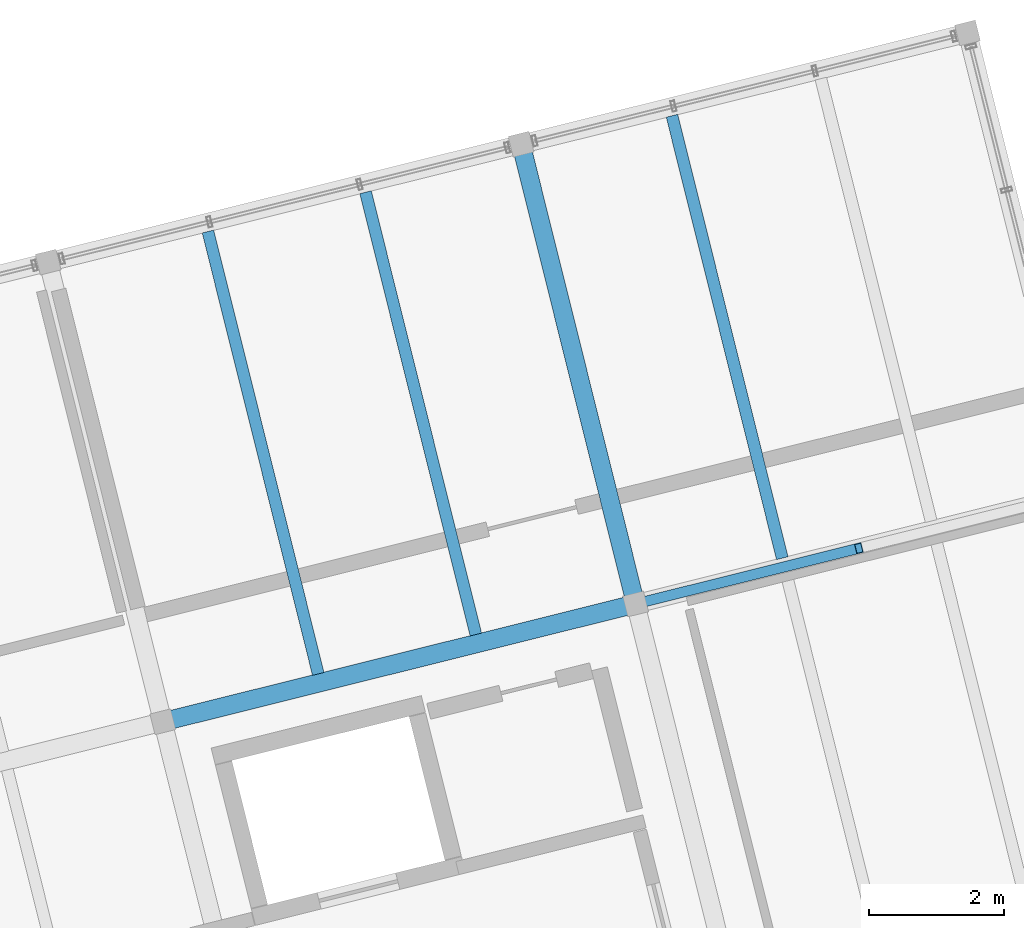
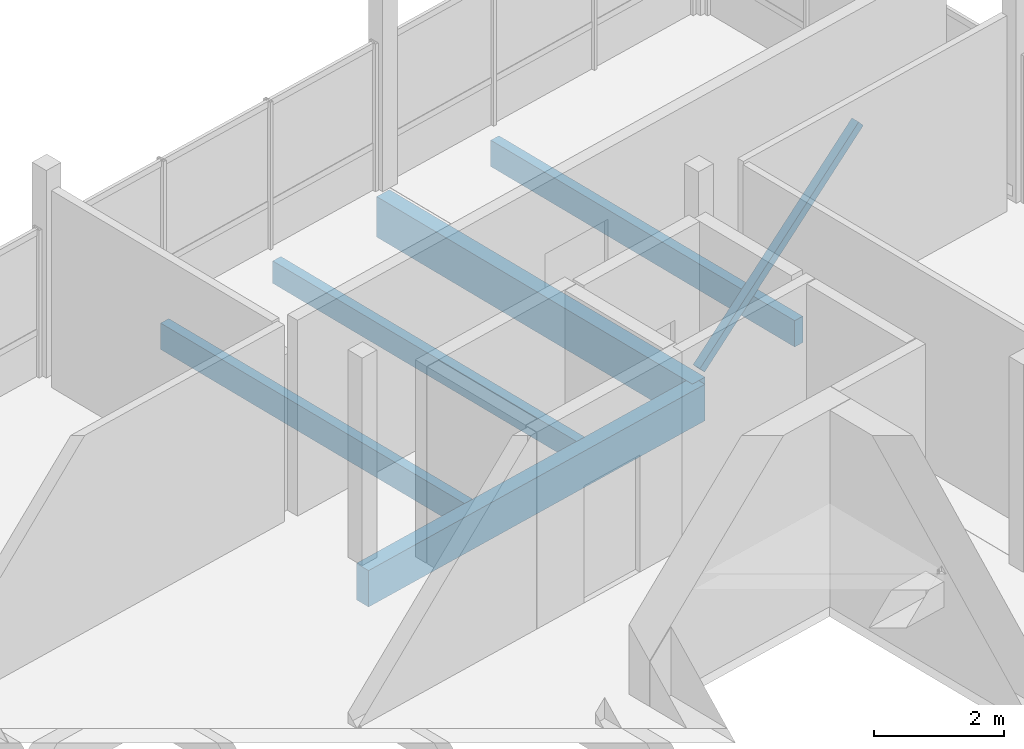
# One storey, part 15 of 25: 5 beams, 1 member.
"""IFC4 building model written with IfcOpenShell, lengths in metres."""

from ifc_helpers import new_model, si_unit, direction, frame, origin, origin_2d, place, context, subcontext, project, spatial, rectangle, hollow_rectangle, extrude, material, material_profile, profile_set, type_object, element, save


model = new_model("IFC4")

# Units and contexts
model_context = context("Model", 3, precision=1e-05, world=origin(), true_north=direction((0.0, 1.0)))
body_context = subcontext(model_context, "Body", "Model", "MODEL_VIEW")
ifc_project = project(units=[si_unit("LENGTHUNIT", "METRE"), si_unit("AREAUNIT", "SQUARE_METRE"), si_unit("VOLUMEUNIT", "CUBIC_METRE"), si_unit("PLANEANGLEUNIT", "RADIAN"), si_unit("MASSUNIT", "GRAM", prefix="KILO")], contexts=[model_context])

# Site, building, storey
site_placement = place(None, origin())
site = spatial("IfcSite", under=ifc_project, at=site_placement, CompositionType="ELEMENT")
building_placement = place(site_placement, origin())
building = spatial("IfcBuilding", under=site, at=building_placement, Name="Meriwether Solvik Hall", CompositionType="ELEMENT")
storey_placement = place(building_placement, frame((0.0, 0.0, 53.39990234375)))
storey = spatial("IfcBuildingStorey", under=building, at=storey_placement, Name="L13", CompositionType="ELEMENT", Elevation=53.39990234375)

# Beams
ifc_material_1 = material(Name="Glulam Douglas-Fir 24F-V8 GL28h", Category="wood")
ifc_material_profile_1 = material_profile(ifc_material_1, rectangle(XDim=0.27294921875, YDim=0.68505859375, at=origin_2d()), Name="GLB-273X685")
ifc_profile_set_1 = profile_set([ifc_material_profile_1], Name="Glulam Douglas-Fir 24F-V8 GL28h")
beam_type_1 = type_object("IfcBeamType", Name="BM-GL-273X685", PredefinedType="BEAM", material=ifc_profile_set_1)
beam_1_placement = place(storey_placement, frame((84.8662109375, 66.8984375, -0.5224609375), z_axis=(0.970291911955, 0.241937193493, 0.0), x_axis=(-0.241937193493, 0.970291911955, 0.0)))
element("IfcBeam", 1, at=beam_1_placement, inside=storey, type_object=beam_type_1, Name="Tower Girder TD:T4-T5 (L13)", PredefinedType="BEAM", context=body_context, shape_type="SweptSolid", body=[
    extrude(rectangle(XDim=0.27294921875, YDim=0.68505859375, at=origin_2d()), origin(), (0.0, 0.0, 1.0), 7.199951171875),
])
ifc_material_2 = material(Name="Glulam Douglas-Fir 24F-V8 GL28h", Category="wood")
ifc_material_profile_2 = material_profile(ifc_material_2, rectangle(XDim=0.27294921875, YDim=0.760009765625, at=origin_2d()), Name="GLB-273X760")
ifc_profile_set_2 = profile_set([ifc_material_profile_2], Name="Glulam Douglas-Fir 24F-V8 GL28h")
beam_type_2 = type_object("IfcBeamType", Name="BM-GL-273X760", PredefinedType="BEAM", material=ifc_profile_set_2)
beam_2_placement = place(storey_placement, frame((91.852294921875, 68.640380859375, -0.559814453125), z_axis=(-0.241911879182, 0.970298223594, 0.0), x_axis=(-0.970298223594, -0.241911879182, 0.0)))
element("IfcBeam", 2, at=beam_2_placement, inside=storey, type_object=beam_type_2, Name="Tower Girder T5:TD-TE (L13)", PredefinedType="BEAM", context=body_context, shape_type="SweptSolid", body=[
    extrude(rectangle(XDim=0.27294921875, YDim=0.760009765625, at=origin_2d()), origin(), (0.0, 0.0, 1.0), 7.0),
])
ifc_material_3 = material(Name="Glulam Douglas-Fir 24F-V8 GL28h", Category="wood")
ifc_material_profile_3 = material_profile(ifc_material_3, rectangle(XDim=0.175048828125, YDim=0.419921875, at=origin_2d()), Name="GLJ-175X420")
ifc_profile_set_3 = profile_set([ifc_material_profile_3], Name="Glulam Douglas-Fir 24F-V8 GL28h")
beam_type_3 = type_object("IfcBeamType", Name="JST-GL-175X420", PredefinedType="JOIST", material=ifc_profile_set_3)
beam_3_placement = place(storey_placement, frame((89.49169921875, 68.187255859375, -0.389892578125), z_axis=(-0.241930176813, 0.9702936615, 0.0), x_axis=(-0.9702936615, -0.241930176813, 0.0)))
element("IfcBeam", 3, at=beam_3_placement, inside=storey, type_object=beam_type_3, Name="Glulam Floor Joist T4/TD-J2 (L13)", PredefinedType="JOIST", context=body_context, shape_type="SweptSolid", body=[
    extrude(rectangle(XDim=0.175048828125, YDim=0.419921875, at=origin_2d()), origin(), (0.0, 0.0, 1.0), 6.737060546875),
])
ifc_material_4 = material(Name="Glulam Douglas-Fir 24F-V8 GL28h", Category="wood")
ifc_material_profile_4 = material_profile(ifc_material_4, rectangle(XDim=0.175048828125, YDim=0.4951171875, at=origin_2d()), Name="GLJ-175X495")
ifc_profile_set_4 = profile_set([ifc_material_profile_4], Name="Glulam Douglas-Fir 24F-V8 GL28h")
beam_type_4 = type_object("IfcBeamType", Name="JST-GL-175X495", PredefinedType="JOIST", material=ifc_profile_set_4)
for number, where, z_axis, x_axis, name in (
    (4, (87.1630859375, 67.606689453125, -0.427490234375), (-0.241930176813, 0.9702936615, 0.0), (-0.9702936615, -0.241930176813, 0.0), "Glulam Floor Joist T4/TD-J1 (L13)"),
    (5, (94.019775390625, 69.31640625, -0.427490234375), (-0.241930176813, 0.9702936615, 0.0), (-0.9702936615, -0.241930176813, 0.0), "Glulam Floor Joist T5/TD-J1 (L13)"),
):
    element("IfcBeam", number, at=place(storey_placement, frame(where, z_axis=z_axis, x_axis=x_axis)), inside=storey, type_object=beam_type_4, Name=name, PredefinedType="JOIST", context=body_context, shape_type="SweptSolid", body=[
        extrude(rectangle(XDim=0.175048828125, YDim=0.4951171875, at=origin_2d()), origin(), (0.0, 0.0, 1.0), 6.737060546875),
    ])

# Member
ifc_material_5 = material(Name="Steel A500 Grade C", Category="steel")
ifc_material_profile_5 = material_profile(ifc_material_5, hollow_rectangle(XDim=0.152099609375, YDim=0.152099609375, WallThickness=0.009521484375, at=origin_2d()), Name="HSS152X152X9.5")
ifc_profile_set_5 = profile_set([ifc_material_profile_5], Name="Steel A500 Grade C")
member_type = type_object("IfcMemberType", Name="MEM-BR-HSS152", PredefinedType="BRACE", material=ifc_profile_set_5)
member_placement = place(storey_placement, frame((91.852294921875, 68.640380859375, 0.050048828125), z_axis=(0.729154353771, 0.181789463321, 0.659762471957), x_axis=(-0.24191045034, 0.970298579828, 0.0)))
element("IfcMember", 6, at=member_placement, inside=storey, type_object=member_type, Name="Tower Chevron Brace L13-B4A", PredefinedType="BRACE", context=body_context, shape_type="SweptSolid", body=[
    extrude(hollow_rectangle(XDim=0.152099609375, YDim=0.152099609375, WallThickness=0.009521484375, at=origin_2d()), origin(), (0.0, 0.0, 1.0), 4.5244140625),
])

save(model, "model.ifc")
